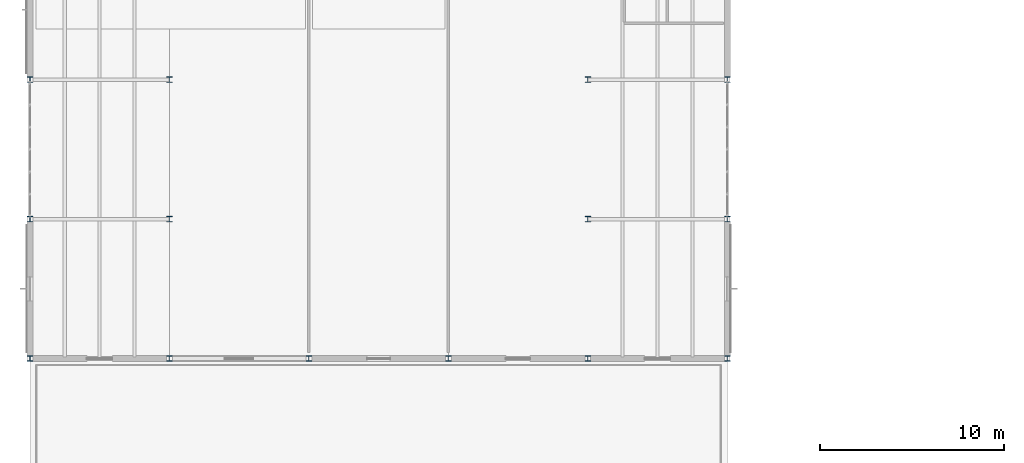
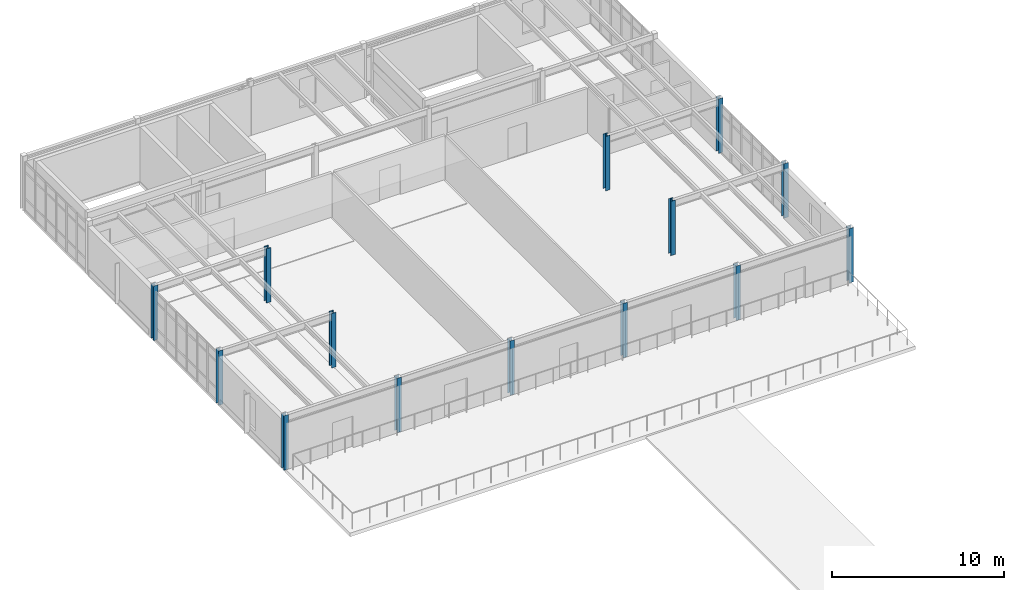
# One storey, part 6 of 114: 14 columns.
"""IFC4 building model written with IfcOpenShell, lengths in metres."""

from ifc_helpers import new_model, si_unit, direction, frame, origin, origin_2d, place, context, subcontext, project, spatial, i_section, extrude, material, material_profile, profile_set, type_object, element, save


model = new_model("IFC4")

# Units and contexts
model_context = context("Model", 3, precision=1e-05, world=origin(), true_north=direction((0.0, 1.0)))
body_context = subcontext(model_context, "Body", "Model", "MODEL_VIEW")
ifc_project = project(units=[si_unit("LENGTHUNIT", "METRE"), si_unit("AREAUNIT", "SQUARE_METRE"), si_unit("VOLUMEUNIT", "CUBIC_METRE"), si_unit("PLANEANGLEUNIT", "RADIAN"), si_unit("MASSUNIT", "GRAM", prefix="KILO")], contexts=[model_context])

# Site, building, storey
site_placement = place(None, origin())
site = spatial("IfcSite", under=ifc_project, at=site_placement, CompositionType="ELEMENT")
building_placement = place(site_placement, origin())
building = spatial("IfcBuilding", under=site, at=building_placement, Name="Montecoro Central Library", CompositionType="ELEMENT")
storey_placement = place(building_placement, frame((0.0, 0.0, 13.260009765625)))
storey = spatial("IfcBuildingStorey", under=building, at=storey_placement, Name="L03", CompositionType="ELEMENT", Elevation=13.260009765625)

# Columns
ifc_material = material(Name="Steel S355", Category="steel")
ifc_material_profile = material_profile(ifc_material, i_section(OverallWidth=0.300048828125, OverallDepth=0.300048828125, WebThickness=0.010986328125, FlangeThickness=0.01904296875, at=origin_2d()), Name="HEB 300")
ifc_profile_set = profile_set([ifc_material_profile], Name="Steel S355")
column_type = type_object("IfcColumnType", Name="COL-HEB300", PredefinedType="COLUMN", material=ifc_profile_set)
for number, where, z_axis, x_axis, name in (
    (1, (5.0, 81.0, 0.0), (0.0, 0.0, 1.0), (1.0, 0.0, 0.0), "V4-L03-COL-1-L"),
    (2, (5.0, 88.60009765625, 0.0), (0.0, 0.0, 1.0), (1.0, 0.0, 0.0), "V4-L03-COL-1-M"),
    (3, (5.0, 96.199951171875, 0.0), (0.0, 0.0, 1.0), (1.0, 0.0, 0.0), "V4-L03-COL-1-N"),
    (4, (12.60009765625, 81.0, 0.0), (0.0, 0.0, 1.0), (1.0, 0.0, 0.0), "V4-L03-COL-2-L"),
    (5, (12.60009765625, 88.60009765625, 0.0), (0.0, 0.0, 1.0), (1.0, 0.0, 0.0), "V4-L03-COL-2-M"),
    (6, (12.60009765625, 96.199951171875, 0.0), (0.0, 0.0, 1.0), (1.0, 0.0, 0.0), "V4-L03-COL-2-N"),
    (7, (20.199951171875, 81.0, 0.0), (0.0, 0.0, 1.0), (1.0, 0.0, 0.0), "V4-L03-COL-3-L"),
    (8, (27.800048828125, 81.0, 0.0), (0.0, 0.0, 1.0), (1.0, 0.0, 0.0), "V4-L03-COL-4-L"),
    (9, (35.39990234375, 81.0, 0.0), (0.0, 0.0, 1.0), (1.0, 0.0, 0.0), "V4-L03-COL-5-L"),
    (10, (35.39990234375, 88.60009765625, 0.0), (0.0, 0.0, 1.0), (1.0, 0.0, 0.0), "V4-L03-COL-5-M"),
    (11, (35.39990234375, 96.199951171875, 0.0), (0.0, 0.0, 1.0), (1.0, 0.0, 0.0), "V4-L03-COL-5-N"),
    (12, (43.0, 81.0, 0.0), (0.0, 0.0, 1.0), (1.0, 0.0, 0.0), "V4-L03-COL-6-L"),
    (13, (43.0, 88.60009765625, 0.0), (0.0, 0.0, 1.0), (1.0, 0.0, 0.0), "V4-L03-COL-6-M"),
    (14, (43.0, 96.199951171875, 0.0), (0.0, 0.0, 1.0), (1.0, 0.0, 0.0), "V4-L03-COL-6-N"),
):
    element("IfcColumn", number, at=place(storey_placement, frame(where, z_axis=z_axis, x_axis=x_axis)), inside=storey, type_object=column_type, Name=name, PredefinedType="COLUMN", context=body_context, shape_type="SweptSolid", body=[
        extrude(i_section(OverallWidth=0.300048828125, OverallDepth=0.300048828125, WebThickness=0.010986328125, FlangeThickness=0.01904296875, at=origin_2d()), origin(), (0.0, 0.0, 1.0), 3.869873046875),
    ])

save(model, "model.ifc")
